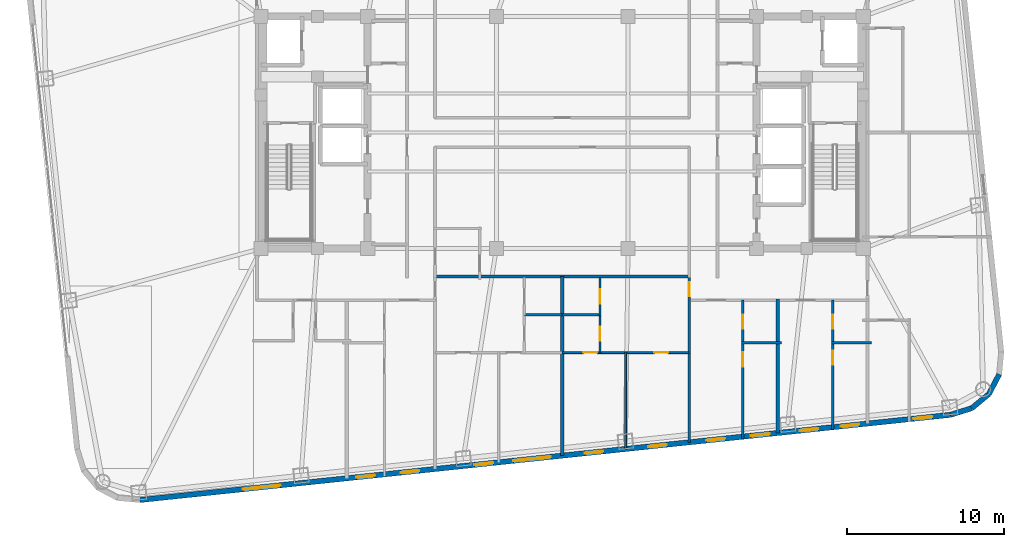
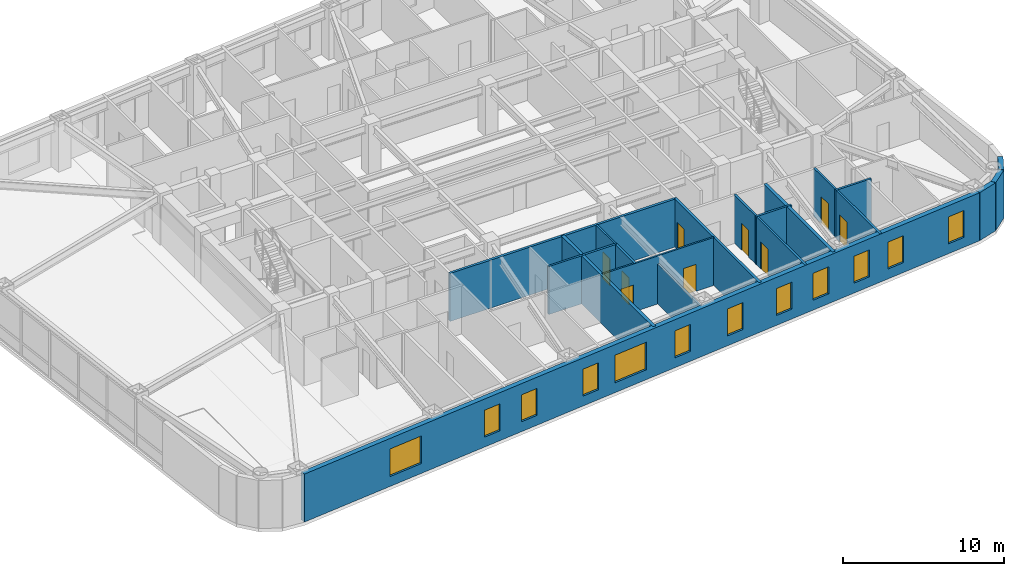
# One storey, part 8 of 15: 20 walls, 12 windows, 9 doors, 21 openings.
"""IFC4 building model written with IfcOpenShell, lengths in metres."""

import ifcopenshell
import ifcopenshell.guid

model = None  # the IFC model being written
_history = None  # IfcOwnerHistory: only IFC2X3 demands one
_inside = {}  # id of a spatial element -> (the spatial element, [elements in it])
_under = {}  # id of a project, library or spatial element -> (it, [spatial elements below it])
_declared = {}  # id of a project -> (the project, [libraries it declares])
_typed = {}  # id of a type object -> (the type object, [elements of that type])
_made_of = {}  # id of a material, layer set ... -> (it, [elements and type objects made of it])


def new_model(schema):
    """Start an empty IFC model of exactly this schema.

    Asked for "IFC4X3", IfcOpenShell would pick the latest addendum, in which some entities
    have other attributes; the version numbers below select the first issue.
    IFC2X3 requires an IfcOwnerHistory on every rooted entity: one is made here for all.
    """
    global model, _history
    if schema == "IFC4X3":
        model = ifcopenshell.file(schema_version=(4, 3, 0, 0))
    else:
        model = ifcopenshell.file(schema=schema)
    _inside.clear()
    _under.clear()
    _declared.clear()
    _typed.clear()
    _made_of.clear()
    _history = None
    if model.schema == "IFC2X3":
        org = make("IfcOrganization", Name="unknown")
        user = make(
            "IfcPersonAndOrganization",
            ThePerson=make("IfcPerson", FamilyName="unknown"),
            TheOrganization=org,
        )
        app = make(
            "IfcApplication",
            ApplicationDeveloper=org,
            Version="unknown",
            ApplicationFullName="unknown",
            ApplicationIdentifier="unknown",
        )
        _history = make(
            "IfcOwnerHistory",
            OwningUser=user,
            OwningApplication=app,
            ChangeAction="ADDED",
            CreationDate=0,
        )
    return model


def make(cls, **values):
    """One entity of the class cls with the attributes given. An attribute that is None is left unset."""
    return model.create_entity(
        cls, **{name: value for name, value in values.items() if value is not None}
    )


def rooted(cls, **values):
    """An entity with a GlobalId (a new one), such as an element, a storey or a relation."""
    return make(cls, GlobalId=ifcopenshell.guid.new(), OwnerHistory=_history, **values)


def si_unit(unit_type, name, prefix=None):
    """IfcSIUnit, for example si_unit("LENGTHUNIT", "METRE", prefix="MILLI")."""
    return make("IfcSIUnit", UnitType=unit_type, Prefix=prefix, Name=name)


def assignment(units):
    """IfcUnitAssignment: the units of a project."""
    return None if units is None else make("IfcUnitAssignment", Units=units)


def point(xyz):
    """IfcCartesianPoint."""
    return None if xyz is None else make("IfcCartesianPoint", Coordinates=xyz)


def direction(xyz):
    """IfcDirection."""
    return None if xyz is None else make("IfcDirection", DirectionRatios=xyz)


def frame(location, z_axis=None, x_axis=None):
    """IfcAxis2Placement3D, a coordinate frame: its origin and axes. An axis left out is left unset."""
    return make(
        "IfcAxis2Placement3D",
        Location=point(location),
        Axis=direction(z_axis),
        RefDirection=direction(x_axis),
    )


def frame_2d(location, x_axis=None):
    """IfcAxis2Placement2D, a coordinate frame in the plane: its origin and x axis."""
    return make(
        "IfcAxis2Placement2D", Location=point(location), RefDirection=direction(x_axis)
    )


def origin():
    """The frame at (0, 0, 0) with its axes left unset."""
    return frame((0.0, 0.0, 0.0))


def place(relative_to, where):
    """IfcLocalPlacement: puts the frame where relative to a parent placement (None: the world)."""
    return make(
        "IfcLocalPlacement", PlacementRelTo=relative_to, RelativePlacement=where
    )


def context(
    kind, dimensions, precision=None, world=None, true_north=None, identifier=None
):
    """IfcGeometricRepresentationContext, for example the 3D "Model" context."""
    return make(
        "IfcGeometricRepresentationContext",
        ContextIdentifier=identifier,
        ContextType=kind,
        CoordinateSpaceDimension=dimensions,
        Precision=precision,
        WorldCoordinateSystem=world,
        TrueNorth=true_north,
    )


def subcontext(parent, identifier, kind, view, scale=None):
    """IfcGeometricRepresentationSubContext, for example "Body" below "Model"."""
    return make(
        "IfcGeometricRepresentationSubContext",
        ContextIdentifier=identifier,
        ContextType=kind,
        ParentContext=parent,
        TargetScale=scale,
        TargetView=view,
    )


def project(units=None, contexts=None):
    """IfcProject with its units and contexts."""
    return rooted(
        "IfcProject",
        Name="project",
        RepresentationContexts=contexts,
        UnitsInContext=assignment(units),
    )


def spatial(cls, under=None, at=None, **own):
    """A site, building, storey or space (cls), placed at a placement, below another one or the project."""
    s = rooted(cls, ObjectPlacement=at, **own)
    if under is not None:
        _under.setdefault(under.id(), (under, []))[1].append(s)
    return s


def profile(cls, at=None, kind="AREA", **sizes):
    """A parametric profile (cls). Its sizes go by their IFC names, for example OverallWidth=200.0."""
    return make(cls, ProfileType=kind, Position=at, **sizes)


def rectangle(**sizes):
    """IfcRectangleProfileDef."""
    return profile("IfcRectangleProfileDef", **sizes)


def extrude(swept, where, along, depth):
    """IfcExtrudedAreaSolid: the profile swept, set in the frame where, extruded along a direction by depth."""
    return make(
        "IfcExtrudedAreaSolid",
        SweptArea=swept,
        Position=where,
        ExtrudedDirection=direction(along),
        Depth=depth,
    )


def shape(context_of_items, identifier, shape_type, items):
    """IfcShapeRepresentation: the items that make up one representation, for example the "Body"."""
    return make(
        "IfcShapeRepresentation",
        ContextOfItems=context_of_items,
        RepresentationIdentifier=identifier,
        RepresentationType=shape_type,
        Items=items,
    )


def material(Name=None, Category=None):
    """IfcMaterial."""
    return make("IfcMaterial", Name=Name, Category=Category)


def layer(
    of_material, thickness, ventilated=None, Name=None, Category=None, Priority=None
):
    """IfcMaterialLayer: one layer of a wall or slab, of a material (None: an air gap)."""
    return make(
        "IfcMaterialLayer",
        Material=of_material,
        LayerThickness=thickness,
        IsVentilated=ventilated,
        Name=Name,
        Category=Category,
        Priority=Priority,
    )


def layer_set(layers, Name=None):
    """IfcMaterialLayerSet."""
    return make("IfcMaterialLayerSet", MaterialLayers=layers, LayerSetName=Name)


def made_of(thing, what):
    """Note that an element or type object is made of a material, layer set ...; save() writes the relation."""
    if what is not None:
        _made_of.setdefault(what.id(), (what, []))[1].append(thing)
    return thing


def type_object(cls, material=None, **own):
    """A type object (cls), such as IfcWallType, which elements share."""
    return made_of(rooted(cls, **own), material)


def element(
    cls,
    number,
    at=None,
    inside=None,
    cuts=None,
    type_object=None,
    material=None,
    context=None,
    identifier="Body",
    shape_type=None,
    held_by="IfcProductDefinitionShape",
    body=None,
    shapes=None,
    **own,
):
    """One element of the class cls, such as IfcWall. Its Tag is "e" and its number.

    at: its placement. inside: the storey or other place that contains it. cuts: it is an
    opening in that element (IfcRelVoidsElement). A single representation is given by context,
    identifier, shape_type and body (its items); several are given by shapes. held_by: the class
    of the entity that holds the representations. save() writes the other relations.
    """
    e = rooted(cls, Tag="e%d" % number, ObjectPlacement=at, **own)
    if body is not None:
        shapes = [shape(context, identifier, shape_type, body)]
    if shapes is not None:
        e.Representation = make(held_by, Representations=shapes)
    if inside is not None:
        _inside.setdefault(inside.id(), (inside, []))[1].append(e)
    if cuts is not None:
        rooted(
            "IfcRelVoidsElement", RelatingBuildingElement=cuts, RelatedOpeningElement=e
        )
    if type_object is not None:
        _typed.setdefault(type_object.id(), (type_object, []))[1].append(e)
    return made_of(e, material)


def fill(opening, filler):
    """IfcRelFillsElement: the door or window that sits in an opening."""
    return rooted(
        "IfcRelFillsElement",
        RelatingOpeningElement=opening,
        RelatedBuildingElement=filler,
    )


def aggregate(whole, parts):
    """IfcRelAggregates: a whole, such as a stair, and the parts it consists of."""
    return rooted("IfcRelAggregates", RelatingObject=whole, RelatedObjects=parts)


def save(model, path):
    """Write the relations noted so far, then the file.

    IfcRelAggregates (storeys below a building ...), IfcRelContainedInSpatialStructure (elements
    in a storey), IfcRelDefinesByType, IfcRelAssociatesMaterial and IfcRelDeclares: one each for
    every whole, place, type object, material and project.
    """
    for whole, parts in _under.values():
        aggregate(whole, parts)
    for where, things in _inside.values():
        rooted(
            "IfcRelContainedInSpatialStructure",
            RelatedElements=things,
            RelatingStructure=where,
        )
    for kind, things in _typed.values():
        rooted("IfcRelDefinesByType", RelatedObjects=things, RelatingType=kind)
    for what, things in _made_of.values():
        rooted("IfcRelAssociatesMaterial", RelatedObjects=things, RelatingMaterial=what)
    for by, libraries in _declared.values():
        rooted("IfcRelDeclares", RelatingContext=by, RelatedDefinitions=libraries)
    model.write(path)


model = new_model("IFC4")

# Units and contexts
model_context = context("Model", 3, precision=1e-05, world=origin(), true_north=direction((0.0, 1.0)))
body_context = subcontext(model_context, "Body", "Model", "MODEL_VIEW")
ifc_project = project(units=[si_unit("LENGTHUNIT", "METRE"), si_unit("AREAUNIT", "SQUARE_METRE"), si_unit("VOLUMEUNIT", "CUBIC_METRE"), si_unit("PLANEANGLEUNIT", "RADIAN"), si_unit("MASSUNIT", "GRAM", prefix="KILO")], contexts=[model_context])

# Site, building, storey
site_placement = place(None, origin())
site = spatial("IfcSite", under=ifc_project, at=site_placement, CompositionType="ELEMENT")
building_placement = place(site_placement, origin())
building = spatial("IfcBuilding", under=site, at=building_placement, Name="Voryun Gate Residences", CompositionType="ELEMENT")
storey_placement = place(building_placement, frame((0.0, 0.0, 148.199951171875)))
storey = spatial("IfcBuildingStorey", under=building, at=storey_placement, Name="L36", CompositionType="ELEMENT", Elevation=148.199951171875)

# Wall
ifc_material_1 = material(Name="Gypsum acoustic fireboard")
ifc_layer_1 = layer(ifc_material_1, 0.179931640625, Name="W_CORR_RATED_180")
ifc_layer_set_1 = layer_set([ifc_layer_1], Name="Gypsum acoustic fireboard")
wall_type_1 = type_object("IfcWallType", Name="W_CORR_RATED_180", PredefinedType="PARTITIONING", material=ifc_layer_set_1)
wall_1_placement = place(storey_placement, frame((-8.14990234375, -9.18994140625, 0.0), z_axis=(0.0, 0.0, 1.0), x_axis=(1.0, 0.0, 0.0)))
element("IfcWall", 1, at=wall_1_placement, inside=storey, type_object=wall_type_1, Name="Partition wall WP-L36-Z2S", PredefinedType="PARTITIONING", context=body_context, shape_type="SweptSolid", body=[
    extrude(rectangle(XDim=16.2998046875, YDim=0.179931640625, at=frame_2d((8.14990234375, 0.0))), origin(), (0.0, 0.0, 1.0), 3.650146484375),
])

# Wall, opening, door
wall_2_placement = place(storey_placement, frame((8.10009765625, -19.75390625, 0.0), z_axis=(0.0, 0.0, 1.0), x_axis=(0.0, 1.0, 0.0)))
wall_2 = element("IfcWall", 2, at=wall_2_placement, inside=storey, type_object=wall_type_1, Name="Partition wall WP-L36-SZV-2", PredefinedType="PARTITIONING", context=body_context, shape_type="SweptSolid", body=[
    extrude(rectangle(XDim=10.56396484375, YDim=0.179931640625, at=frame_2d((5.281982421875, 0.0))), origin(), (0.0, 0.0, 1.0), 3.650146484375),
])
opening_1_placement = place(wall_2_placement, frame((9.314208984375, 0.0, 0.0)))
opening_1 = element("IfcOpeningElement", 3, at=opening_1_placement, cuts=wall_2, Name="Opening D-INT-2", PredefinedType="OPENING", context=body_context, shape_type="SweptSolid", body=[
    extrude(rectangle(XDim=0.89990234375, YDim=2.050048828125, at=frame_2d((0.449951171875, 1.02490234375))), frame((0.0, 0.099853515625, 0.0), z_axis=(0.0, -1.0, 0.0), x_axis=(1.0, 0.0, 0.0)), (0.0, 0.0, 1.0), 0.199951171875),
])
ifc_material_2 = material(Name="Architectural oak veneer")
door_type = type_object("IfcDoorType", Name="DR_INT_BATH_900", OperationType="NOTDEFINED", PredefinedType="DOOR", material=ifc_material_2)
door_1_placement = place(opening_1_placement, origin())
door_1 = element("IfcDoor", 4, at=door_1_placement, inside=storey, type_object=door_type, Name="Door DR-L36-SZENT-2", OperationType="SINGLE_SWING_RIGHT", OverallHeight=2.050048828125, OverallWidth=0.89990234375, PredefinedType="DOOR", context=body_context, shape_type="SweptSolid", body=[
    extrude(rectangle(XDim=0.89990234375, YDim=2.050048828125, at=frame_2d((0.449951171875, 1.02490234375))), frame((0.0, 0.02490234375, 0.0), z_axis=(0.0, -1.0, 0.0), x_axis=(1.0, 0.0, 0.0)), (0.0, 0.0, 1.0), 0.050048828125),
])
fill(opening_1, door_1)

# Wall, openings, windows
ifc_material_3 = material(Name="Charcoal terracotta masonry", Category="masonry")
ifc_layer_2 = layer(ifc_material_3, 0.340087890625, Name="W_EXT_TERRACOTTA_340")
ifc_layer_set_2 = layer_set([ifc_layer_2], Name="Charcoal terracotta masonry")
wall_type_2 = type_object("IfcWallType", Name="W_EXT_TERRACOTTA_340", PredefinedType="ELEMENTEDWALL", material=ifc_layer_set_2)
wall_3_placement = place(storey_placement, frame((24.755615234375, -18.003173828125, 0.0), z_axis=(0.0, 0.0, 1.0), x_axis=(-0.99452160744, -0.104531202687, 0.0)))
wall_3 = element("IfcWall", 5, at=wall_3_placement, inside=storey, type_object=wall_type_2, Name="Exterior wall WEXT-L36-01", PredefinedType="ELEMENTEDWALL", context=body_context, shape_type="SweptSolid", body=[
    extrude(rectangle(XDim=51.966552734375, YDim=0.340087890625, at=frame_2d((25.9833984375, 0.0))), origin(), (0.0, 0.0, 1.0), 3.650146484375),
])
opening_2_placement = place(wall_3_placement, frame((25.63330078125, 0.0, 0.75)))
opening_2 = element("IfcOpeningElement", 6, at=opening_2_placement, cuts=wall_3, Name="Opening WN2", PredefinedType="OPENING", context=body_context, shape_type="SweptSolid", body=[
    extrude(rectangle(XDim=2.39990234375, YDim=2.10009765625, at=frame_2d((1.199951171875, 1.050048828125))), frame((0.0, 0.179931640625, 0.0), z_axis=(0.0, -1.0, 0.0), x_axis=(1.0, 0.0, 0.0)), (0.0, 0.0, 1.0), 0.360107421875),
])
opening_3_placement = place(wall_3_placement, frame((42.955322265625, 0.0, 0.75)))
opening_3 = element("IfcOpeningElement", 7, at=opening_3_placement, cuts=wall_3, Name="Opening WN2", PredefinedType="OPENING", context=body_context, shape_type="SweptSolid", body=[
    extrude(rectangle(XDim=2.39990234375, YDim=2.10009765625, at=frame_2d((1.199951171875, 1.050048828125))), frame((0.0, 0.179931640625, 0.0), z_axis=(0.0, -1.0, 0.0), x_axis=(1.0, 0.0, 0.0)), (0.0, 0.0, 1.0), 0.360107421875),
])
opening_4_placement = place(wall_3_placement, frame((34.048583984375, 0.0, 0.75)))
opening_4 = element("IfcOpeningElement", 8, at=opening_4_placement, cuts=wall_3, Name="Opening WN6", PredefinedType="OPENING", context=body_context, shape_type="SweptSolid", body=[
    extrude(rectangle(XDim=1.199951171875, YDim=2.050048828125, at=frame_2d((0.60009765625, 1.02490234375))), frame((0.0, 0.179931640625, 0.0), z_axis=(0.0, -1.0, 0.0), x_axis=(1.0, 0.0, 0.0)), (0.0, 0.0, 1.0), 0.360107421875),
])
opening_5_placement = place(wall_3_placement, frame((36.89404296875, 0.0, 0.75)))
opening_5 = element("IfcOpeningElement", 9, at=opening_5_placement, cuts=wall_3, Name="Opening WN6", PredefinedType="OPENING", context=body_context, shape_type="SweptSolid", body=[
    extrude(rectangle(XDim=1.199951171875, YDim=2.050048828125, at=frame_2d((0.60009765625, 1.02490234375))), frame((0.0, 0.179931640625, 0.0), z_axis=(0.0, -1.0, 0.0), x_axis=(1.0, 0.0, 0.0)), (0.0, 0.0, 1.0), 0.360107421875),
])
opening_6_placement = place(wall_3_placement, frame((14.43603515625, 0.0, 0.75)))
opening_6 = element("IfcOpeningElement", 10, at=opening_6_placement, cuts=wall_3, Name="Opening WN6", PredefinedType="OPENING", context=body_context, shape_type="SweptSolid", body=[
    extrude(rectangle(XDim=1.199951171875, YDim=2.050048828125, at=frame_2d((0.60009765625, 1.02490234375))), frame((0.0, 0.179931640625, 0.0), z_axis=(0.0, -1.0, 0.0), x_axis=(1.0, 0.0, 0.0)), (0.0, 0.0, 1.0), 0.360107421875),
])
opening_7_placement = place(wall_3_placement, frame((11.590576171875, 0.0, 0.75)))
opening_7 = element("IfcOpeningElement", 11, at=opening_7_placement, cuts=wall_3, Name="Opening WN6", PredefinedType="OPENING", context=body_context, shape_type="SweptSolid", body=[
    extrude(rectangle(XDim=1.199951171875, YDim=2.050048828125, at=frame_2d((0.60009765625, 1.02490234375))), frame((0.0, 0.179931640625, 0.0), z_axis=(0.0, -1.0, 0.0), x_axis=(1.0, 0.0, 0.0)), (0.0, 0.0, 1.0), 0.360107421875),
])
opening_8_placement = place(wall_3_placement, frame((8.46923828125, 0.0, 0.75)))
opening_8 = element("IfcOpeningElement", 12, at=opening_8_placement, cuts=wall_3, Name="Opening WN6", PredefinedType="OPENING", context=body_context, shape_type="SweptSolid", body=[
    extrude(rectangle(XDim=1.199951171875, YDim=2.050048828125, at=frame_2d((0.60009765625, 1.02490234375))), frame((0.0, 0.179931640625, 0.0), z_axis=(0.0, -1.0, 0.0), x_axis=(1.0, 0.0, 0.0)), (0.0, 0.0, 1.0), 0.360107421875),
])
opening_9_placement = place(wall_3_placement, frame((5.83349609375, 0.0, 0.75)))
opening_9 = element("IfcOpeningElement", 13, at=opening_9_placement, cuts=wall_3, Name="Opening WN6", PredefinedType="OPENING", context=body_context, shape_type="SweptSolid", body=[
    extrude(rectangle(XDim=1.199951171875, YDim=2.050048828125, at=frame_2d((0.60009765625, 1.02490234375))), frame((0.0, 0.179931640625, 0.0), z_axis=(0.0, -1.0, 0.0), x_axis=(1.0, 0.0, 0.0)), (0.0, 0.0, 1.0), 0.360107421875),
])
opening_10_placement = place(wall_3_placement, frame((29.31298828125, 0.0, 0.75)))
opening_10 = element("IfcOpeningElement", 14, at=opening_10_placement, cuts=wall_3, Name="Opening WN6", PredefinedType="OPENING", context=body_context, shape_type="SweptSolid", body=[
    extrude(rectangle(XDim=1.199951171875, YDim=2.050048828125, at=frame_2d((0.60009765625, 1.02490234375))), frame((0.0, 0.179931640625, 0.0), z_axis=(0.0, -1.0, 0.0), x_axis=(1.0, 0.0, 0.0)), (0.0, 0.0, 1.0), 0.360107421875),
])
opening_11_placement = place(wall_3_placement, frame((22.248291015625, 0.0, 0.75)))
opening_11 = element("IfcOpeningElement", 15, at=opening_11_placement, cuts=wall_3, Name="Opening WN6", PredefinedType="OPENING", context=body_context, shape_type="SweptSolid", body=[
    extrude(rectangle(XDim=1.199951171875, YDim=2.050048828125, at=frame_2d((0.60009765625, 1.02490234375))), frame((0.0, 0.179931640625, 0.0), z_axis=(0.0, -1.0, 0.0), x_axis=(1.0, 0.0, 0.0)), (0.0, 0.0, 1.0), 0.360107421875),
])
opening_12_placement = place(wall_3_placement, frame((18.18603515625, 0.0, 0.75)))
opening_12 = element("IfcOpeningElement", 16, at=opening_12_placement, cuts=wall_3, Name="Opening WN6", PredefinedType="OPENING", context=body_context, shape_type="SweptSolid", body=[
    extrude(rectangle(XDim=1.199951171875, YDim=2.050048828125, at=frame_2d((0.60009765625, 1.02490234375))), frame((0.0, 0.179931640625, 0.0), z_axis=(0.0, -1.0, 0.0), x_axis=(1.0, 0.0, 0.0)), (0.0, 0.0, 1.0), 0.360107421875),
])
opening_13_placement = place(wall_3_placement, frame((1.170166015625, 0.0, 0.75)))
opening_13 = element("IfcOpeningElement", 17, at=opening_13_placement, cuts=wall_3, Name="Opening WN6", PredefinedType="OPENING", context=body_context, shape_type="SweptSolid", body=[
    extrude(rectangle(XDim=1.199951171875, YDim=2.050048828125, at=frame_2d((0.60009765625, 1.02490234375))), frame((0.0, 0.179931640625, 0.0), z_axis=(0.0, -1.0, 0.0), x_axis=(1.0, 0.0, 0.0)), (0.0, 0.0, 1.0), 0.360107421875),
])
ifc_material_4 = material(Name="Laminated low-E glass", Category="glass")
window_type_1 = type_object("IfcWindowType", Name="WN_POD_SLOT_1200", PartitioningType="SINGLE_PANEL", PredefinedType="WINDOW", material=ifc_material_4)
window_1_placement = place(opening_4_placement, origin())
window_1 = element("IfcWindow", 18, at=window_1_placement, inside=storey, type_object=window_type_1, Name="Window WN-L36-DWFIX-10", OverallHeight=2.050048828125, OverallWidth=1.199951171875, PartitioningType="SINGLE_PANEL", PredefinedType="WINDOW", context=body_context, shape_type="SweptSolid", body=[
    extrude(rectangle(XDim=1.199951171875, YDim=2.050048828125, at=frame_2d((0.60009765625, 1.02490234375))), frame((0.0, 0.030029296875, 0.0), z_axis=(0.0, -1.0, 0.0), x_axis=(1.0, 0.0, 0.0)), (0.0, 0.0, 1.0), 0.06005859375),
])
fill(opening_4, window_1)
window_2_placement = place(opening_5_placement, origin())
window_2 = element("IfcWindow", 19, at=window_2_placement, inside=storey, type_object=window_type_1, Name="Window WN-L36-DWFIX-11", OverallHeight=2.050048828125, OverallWidth=1.199951171875, PartitioningType="SINGLE_PANEL", PredefinedType="WINDOW", context=body_context, shape_type="SweptSolid", body=[
    extrude(rectangle(XDim=1.199951171875, YDim=2.050048828125, at=frame_2d((0.60009765625, 1.02490234375))), frame((0.0, 0.030029296875, 0.0), z_axis=(0.0, -1.0, 0.0), x_axis=(1.0, 0.0, 0.0)), (0.0, 0.0, 1.0), 0.06005859375),
])
fill(opening_5, window_2)
window_3_placement = place(opening_6_placement, origin())
window_3 = element("IfcWindow", 20, at=window_3_placement, inside=storey, type_object=window_type_1, Name="Window WN-L36-DWFIX-12", OverallHeight=2.050048828125, OverallWidth=1.199951171875, PartitioningType="SINGLE_PANEL", PredefinedType="WINDOW", context=body_context, shape_type="SweptSolid", body=[
    extrude(rectangle(XDim=1.199951171875, YDim=2.050048828125, at=frame_2d((0.60009765625, 1.02490234375))), frame((0.0, 0.030029296875, 0.0), z_axis=(0.0, -1.0, 0.0), x_axis=(1.0, 0.0, 0.0)), (0.0, 0.0, 1.0), 0.06005859375),
])
fill(opening_6, window_3)
window_4_placement = place(opening_7_placement, origin())
window_4 = element("IfcWindow", 21, at=window_4_placement, inside=storey, type_object=window_type_1, Name="Window WN-L36-DWFIX-13", OverallHeight=2.050048828125, OverallWidth=1.199951171875, PartitioningType="SINGLE_PANEL", PredefinedType="WINDOW", context=body_context, shape_type="SweptSolid", body=[
    extrude(rectangle(XDim=1.199951171875, YDim=2.050048828125, at=frame_2d((0.60009765625, 1.02490234375))), frame((0.0, 0.030029296875, 0.0), z_axis=(0.0, -1.0, 0.0), x_axis=(1.0, 0.0, 0.0)), (0.0, 0.0, 1.0), 0.06005859375),
])
fill(opening_7, window_4)
window_5_placement = place(opening_8_placement, origin())
window_5 = element("IfcWindow", 22, at=window_5_placement, inside=storey, type_object=window_type_1, Name="Window WN-L36-DWFIX-14", OverallHeight=2.050048828125, OverallWidth=1.199951171875, PartitioningType="SINGLE_PANEL", PredefinedType="WINDOW", context=body_context, shape_type="SweptSolid", body=[
    extrude(rectangle(XDim=1.199951171875, YDim=2.050048828125, at=frame_2d((0.60009765625, 1.02490234375))), frame((0.0, 0.030029296875, 0.0), z_axis=(0.0, -1.0, 0.0), x_axis=(1.0, 0.0, 0.0)), (0.0, 0.0, 1.0), 0.06005859375),
])
fill(opening_8, window_5)
window_6_placement = place(opening_9_placement, origin())
window_6 = element("IfcWindow", 23, at=window_6_placement, inside=storey, type_object=window_type_1, Name="Window WN-L36-DWFIX-15", OverallHeight=2.050048828125, OverallWidth=1.199951171875, PartitioningType="SINGLE_PANEL", PredefinedType="WINDOW", context=body_context, shape_type="SweptSolid", body=[
    extrude(rectangle(XDim=1.199951171875, YDim=2.050048828125, at=frame_2d((0.60009765625, 1.02490234375))), frame((0.0, 0.030029296875, 0.0), z_axis=(0.0, -1.0, 0.0), x_axis=(1.0, 0.0, 0.0)), (0.0, 0.0, 1.0), 0.06005859375),
])
fill(opening_9, window_6)
window_7_placement = place(opening_10_placement, origin())
window_7 = element("IfcWindow", 24, at=window_7_placement, inside=storey, type_object=window_type_1, Name="Window WN-L36-DWFIX-16", OverallHeight=2.050048828125, OverallWidth=1.199951171875, PartitioningType="SINGLE_PANEL", PredefinedType="WINDOW", context=body_context, shape_type="SweptSolid", body=[
    extrude(rectangle(XDim=1.199951171875, YDim=2.050048828125, at=frame_2d((0.60009765625, 1.02490234375))), frame((0.0, 0.030029296875, 0.0), z_axis=(0.0, -1.0, 0.0), x_axis=(1.0, 0.0, 0.0)), (0.0, 0.0, 1.0), 0.06005859375),
])
fill(opening_10, window_7)
window_8_placement = place(opening_11_placement, origin())
window_8 = element("IfcWindow", 25, at=window_8_placement, inside=storey, type_object=window_type_1, Name="Window WN-L36-DWFIX-17", OverallHeight=2.050048828125, OverallWidth=1.199951171875, PartitioningType="SINGLE_PANEL", PredefinedType="WINDOW", context=body_context, shape_type="SweptSolid", body=[
    extrude(rectangle(XDim=1.199951171875, YDim=2.050048828125, at=frame_2d((0.60009765625, 1.02490234375))), frame((0.0, 0.030029296875, 0.0), z_axis=(0.0, -1.0, 0.0), x_axis=(1.0, 0.0, 0.0)), (0.0, 0.0, 1.0), 0.06005859375),
])
fill(opening_11, window_8)
window_9_placement = place(opening_12_placement, origin())
window_9 = element("IfcWindow", 26, at=window_9_placement, inside=storey, type_object=window_type_1, Name="Window WN-L36-DWFIX-18", OverallHeight=2.050048828125, OverallWidth=1.199951171875, PartitioningType="SINGLE_PANEL", PredefinedType="WINDOW", context=body_context, shape_type="SweptSolid", body=[
    extrude(rectangle(XDim=1.199951171875, YDim=2.050048828125, at=frame_2d((0.60009765625, 1.02490234375))), frame((0.0, 0.030029296875, 0.0), z_axis=(0.0, -1.0, 0.0), x_axis=(1.0, 0.0, 0.0)), (0.0, 0.0, 1.0), 0.06005859375),
])
fill(opening_12, window_9)
window_10_placement = place(opening_13_placement, origin())
window_10 = element("IfcWindow", 27, at=window_10_placement, inside=storey, type_object=window_type_1, Name="Window WN-L36-DWFIX-19", OverallHeight=2.050048828125, OverallWidth=1.199951171875, PartitioningType="SINGLE_PANEL", PredefinedType="WINDOW", context=body_context, shape_type="SweptSolid", body=[
    extrude(rectangle(XDim=1.199951171875, YDim=2.050048828125, at=frame_2d((0.60009765625, 1.02490234375))), frame((0.0, 0.030029296875, 0.0), z_axis=(0.0, -1.0, 0.0), x_axis=(1.0, 0.0, 0.0)), (0.0, 0.0, 1.0), 0.06005859375),
])
fill(opening_13, window_10)
ifc_material_5 = material(Name="Laminated low-E glass", Category="glass")
window_type_2 = type_object("IfcWindowType", Name="WN_RES_WIDE_2400", PartitioningType="SINGLE_PANEL", PredefinedType="WINDOW", material=ifc_material_5)
window_11_placement = place(opening_2_placement, origin())
window_11 = element("IfcWindow", 28, at=window_11_placement, inside=storey, type_object=window_type_2, Name="Window WN-WEXT-L36-01-02", OverallHeight=2.10009765625, OverallWidth=2.39990234375, PartitioningType="SINGLE_PANEL", PredefinedType="WINDOW", context=body_context, shape_type="SweptSolid", body=[
    extrude(rectangle(XDim=2.39990234375, YDim=2.10009765625, at=frame_2d((1.199951171875, 1.050048828125))), frame((0.0, 0.030029296875, 0.0), z_axis=(0.0, -1.0, 0.0), x_axis=(1.0, 0.0, 0.0)), (0.0, 0.0, 1.0), 0.06005859375),
])
fill(opening_2, window_11)
window_12_placement = place(opening_3_placement, origin())
window_12 = element("IfcWindow", 29, at=window_12_placement, inside=storey, type_object=window_type_2, Name="Window WN-WEXT-L36-01-03", OverallHeight=2.10009765625, OverallWidth=2.39990234375, PartitioningType="SINGLE_PANEL", PredefinedType="WINDOW", context=body_context, shape_type="SweptSolid", body=[
    extrude(rectangle(XDim=2.39990234375, YDim=2.10009765625, at=frame_2d((1.199951171875, 1.050048828125))), frame((0.0, 0.030029296875, 0.0), z_axis=(0.0, -1.0, 0.0), x_axis=(1.0, 0.0, 0.0)), (0.0, 0.0, 1.0), 0.06005859375),
])
fill(opening_3, window_12)

# Walls
for number, where, z_axis, x_axis, name in (
    (30, (27.8701171875, -15.42138671875, 0.0), (0.0, 0.0, 1.0), (-0.465682431293, -0.884951904447, 0.0), "Exterior wall WEXT-L36-18"),
    (31, (27.211181640625, -16.673583984375, 0.0), (0.0, 0.0, 1.0), (-0.768758372808, -0.639539337522, 0.0), "Exterior wall WEXT-L36-19"),
):
    element("IfcWall", number, at=place(storey_placement, frame(where, z_axis=z_axis, x_axis=x_axis)), inside=storey, type_object=wall_type_2, Name=name, PredefinedType="ELEMENTEDWALL", context=body_context, shape_type="SweptSolid", body=[
        extrude(rectangle(XDim=1.4150390625, YDim=0.340087890625, at=frame_2d((0.70751953125, 0.0))), origin(), (0.0, 0.0, 1.0), 3.650146484375),
    ])
wall_4_placement = place(storey_placement, frame((26.123291015625, -17.57861328125, 0.0), z_axis=(0.0, 0.0, 1.0), x_axis=(-0.955042500381, -0.296468923271, 0.0)))
element("IfcWall", 32, at=wall_4_placement, inside=storey, type_object=wall_type_2, Name="Exterior wall WEXT-L36-20", PredefinedType="ELEMENTEDWALL", context=body_context, shape_type="SweptSolid", body=[
    extrude(rectangle(XDim=1.43212890625, YDim=0.340087890625, at=frame_2d((0.716064453125, 0.0))), origin(), (0.0, 0.0, 1.0), 3.650146484375),
])
ifc_material_6 = material(Name="Concrete C40/50", Category="concrete")
ifc_layer_3 = layer(ifc_material_6, 0.219970703125, Name="W_PARTY_ACOUSTIC_220")
ifc_layer_set_3 = layer_set([ifc_layer_3], Name="Concrete C40/50")
wall_type_3 = type_object("IfcWallType", Name="W_PARTY_ACOUSTIC_220", PredefinedType="PARTITIONING", material=ifc_layer_set_3)
wall_5_placement = place(storey_placement, frame((13.739990234375, -19.160888671875, 0.0), z_axis=(0.0, 0.0, 1.0), x_axis=(0.0, 1.0, 0.0)))
element("IfcWall", 33, at=wall_5_placement, inside=storey, type_object=wall_type_3, Name="Partition wall WP-L36-SPTY-4", PredefinedType="PARTITIONING", context=body_context, shape_type="SweptSolid", body=[
    extrude(rectangle(XDim=8.540771484375, YDim=0.219970703125, at=frame_2d((4.2705078125, 0.0))), origin(), (0.0, 0.0, 1.0), 3.650146484375),
])
wall_6_placement = place(storey_placement, frame((0.0, -20.60498046875, 0.0), z_axis=(0.0, 0.0, 1.0), x_axis=(0.0, 1.0, 0.0)))
element("IfcWall", 34, at=wall_6_placement, inside=storey, type_object=wall_type_3, Name="Partition wall WP-L36-SZMID", PredefinedType="PARTITIONING", context=body_context, shape_type="SweptSolid", body=[
    extrude(rectangle(XDim=11.4150390625, YDim=0.219970703125, at=frame_2d((5.70751953125, 0.0))), origin(), (0.0, 0.0, 1.0), 3.650146484375),
])

# Wall, openings, doors
ifc_material_7 = material(Name="Gypsum acoustic partition")
ifc_layer_4 = layer(ifc_material_7, 0.125, Name="W_UNIT_PART_125")
ifc_layer_set_4 = layer_set([ifc_layer_4], Name="Gypsum acoustic partition")
wall_type_4 = type_object("IfcWallType", Name="W_UNIT_PART_125", PredefinedType="PARTITIONING", material=ifc_layer_set_4)
wall_7_placement = place(storey_placement, frame((0.02001953125, -14.030029296875, 0.0), z_axis=(0.0, 0.0, 1.0), x_axis=(1.0, 0.0, 0.0)))
wall_7 = element("IfcWall", 35, at=wall_7_placement, inside=storey, type_object=wall_type_4, Name="Partition wall WP-L36-SC2-HZ", PredefinedType="PARTITIONING", context=body_context, shape_type="SweptSolid", body=[
    extrude(rectangle(XDim=8.06005859375, YDim=0.125, at=frame_2d((4.030029296875, 0.0))), origin(), (0.0, 0.0, 1.0), 3.650146484375),
])
opening_14_placement = place(wall_7_placement, frame((1.3232421875, 0.0, 0.0)))
opening_14 = element("IfcOpeningElement", 36, at=opening_14_placement, cuts=wall_7, Name="Opening D-INT-2", PredefinedType="OPENING", context=body_context, shape_type="SweptSolid", body=[
    extrude(rectangle(XDim=0.89990234375, YDim=2.050048828125, at=frame_2d((0.449951171875, 1.02490234375))), frame((0.0, 0.072509765625, 0.0), z_axis=(0.0, -1.0, 0.0), x_axis=(1.0, 0.0, 0.0)), (0.0, 0.0, 1.0), 0.14501953125),
])
opening_15_placement = place(wall_7_placement, frame((5.8369140625, 0.0, 0.0)))
opening_15 = element("IfcOpeningElement", 37, at=opening_15_placement, cuts=wall_7, Name="Opening D-INT-2", PredefinedType="OPENING", context=body_context, shape_type="SweptSolid", body=[
    extrude(rectangle(XDim=0.89990234375, YDim=2.050048828125, at=frame_2d((0.449951171875, 1.02490234375))), frame((0.0, 0.072509765625, 0.0), z_axis=(0.0, -1.0, 0.0), x_axis=(1.0, 0.0, 0.0)), (0.0, 0.0, 1.0), 0.14501953125),
])
door_2_placement = place(opening_14_placement, origin())
door_2 = element("IfcDoor", 38, at=door_2_placement, inside=storey, type_object=door_type, Name="Door DR-L36-SC2-DMB", OperationType="SINGLE_SWING_LEFT", OverallHeight=2.050048828125, OverallWidth=0.89990234375, PredefinedType="DOOR", context=body_context, shape_type="SweptSolid", body=[
    extrude(rectangle(XDim=0.89990234375, YDim=2.050048828125, at=frame_2d((0.449951171875, 1.02490234375))), frame((0.0, 0.02490234375, 0.0), z_axis=(0.0, -1.0, 0.0), x_axis=(1.0, 0.0, 0.0)), (0.0, 0.0, 1.0), 0.050048828125),
])
fill(opening_14, door_2)
door_3_placement = place(opening_15_placement, origin())
door_3 = element("IfcDoor", 39, at=door_3_placement, inside=storey, type_object=door_type, Name="Door DR-L36-SC2-DBD2", OperationType="SINGLE_SWING_RIGHT", OverallHeight=2.050048828125, OverallWidth=0.89990234375, PredefinedType="DOOR", context=body_context, shape_type="SweptSolid", body=[
    extrude(rectangle(XDim=0.89990234375, YDim=2.050048828125, at=frame_2d((0.449951171875, 1.02490234375))), frame((0.0, 0.02490234375, 0.0), z_axis=(0.0, -1.0, 0.0), x_axis=(1.0, 0.0, 0.0)), (0.0, 0.0, 1.0), 0.050048828125),
])
fill(opening_15, door_3)

# Wall, opening, door
wall_8_placement = place(storey_placement, frame((2.409912109375, -11.659912109375, 0.0), z_axis=(0.0, 0.0, 1.0), x_axis=(0.0, 1.0, 0.0)))
wall_8 = element("IfcWall", 40, at=wall_8_placement, inside=storey, type_object=wall_type_4, Name="Partition wall WP-L36-SC2-VK1", PredefinedType="PARTITIONING", context=body_context, shape_type="SweptSolid", body=[
    extrude(rectangle(XDim=2.409912109375, YDim=0.125, at=frame_2d((1.205078125, 0.0))), origin(), (0.0, 0.0, 1.0), 3.650146484375),
])
opening_16_placement = place(wall_8_placement, frame((0.7548828125, 0.0, 0.0)))
opening_16 = element("IfcOpeningElement", 41, at=opening_16_placement, cuts=wall_8, Name="Opening D-INT-2", PredefinedType="OPENING", context=body_context, shape_type="SweptSolid", body=[
    extrude(rectangle(XDim=0.89990234375, YDim=2.050048828125, at=frame_2d((0.449951171875, 1.02490234375))), frame((0.0, 0.072509765625, 0.0), z_axis=(0.0, -1.0, 0.0), x_axis=(1.0, 0.0, 0.0)), (0.0, 0.0, 1.0), 0.14501953125),
])
door_4_placement = place(opening_16_placement, origin())
door_4 = element("IfcDoor", 42, at=door_4_placement, inside=storey, type_object=door_type, Name="Door DR-L36-SC2-DK", OperationType="SINGLE_SWING_LEFT", OverallHeight=2.050048828125, OverallWidth=0.89990234375, PredefinedType="DOOR", context=body_context, shape_type="SweptSolid", body=[
    extrude(rectangle(XDim=0.89990234375, YDim=2.050048828125, at=frame_2d((0.449951171875, 1.02490234375))), frame((0.0, 0.02490234375, 0.0), z_axis=(0.0, -1.0, 0.0), x_axis=(1.0, 0.0, 0.0)), (0.0, 0.0, 1.0), 0.050048828125),
])
fill(opening_16, door_4)

# Walls
wall_9_placement = place(storey_placement, frame((4.050048828125, -20.179443359375, 0.0), z_axis=(0.0, 0.0, 1.0), x_axis=(0.0, 1.0, 0.0)))
element("IfcWall", 43, at=wall_9_placement, inside=storey, type_object=wall_type_4, Name="Partition wall WP-L36-SC2-VBD", PredefinedType="PARTITIONING", context=body_context, shape_type="SweptSolid", body=[
    extrude(rectangle(XDim=6.189453125, YDim=0.125, at=frame_2d((3.0947265625, 0.0))), origin(), (0.0, 0.0, 1.0), 3.0400390625),
])
ifc_material_8 = material(Name="Gypsum moisture-resistant partition")
ifc_layer_5 = layer(ifc_material_8, 0.14990234375, Name="W_WET_PLUMB_150")
ifc_layer_set_5 = layer_set([ifc_layer_5], Name="Gypsum moisture-resistant partition")
wall_type_5 = type_object("IfcWallType", Name="W_WET_PLUMB_150", PredefinedType="PLUMBINGWALL", material=ifc_layer_set_5)
wall_10_placement = place(storey_placement, frame((11.43896484375, -13.39990234375, 0.0), z_axis=(0.0, 0.0, 1.0), x_axis=(1.0, 0.0, 0.0)))
element("IfcWall", 44, at=wall_10_placement, inside=storey, type_object=wall_type_5, Name="Partition wall WP-L36-S4-SKB", PredefinedType="PLUMBINGWALL", context=body_context, shape_type="SweptSolid", body=[
    extrude(rectangle(XDim=2.56103515625, YDim=0.14990234375, at=frame_2d((1.280517578125, 0.0))), origin(), (0.0, 0.0, 1.0), 3.650146484375),
])

# Wall, opening, door
wall_11_placement = place(storey_placement, frame((11.51904296875, -19.545166015625, 0.0), z_axis=(0.0, 0.0, 1.0), x_axis=(0.0, 1.0, 0.0)))
wall_11 = element("IfcWall", 45, at=wall_11_placement, inside=storey, type_object=wall_type_5, Name="Partition wall WP-L36-S4-SVT1", PredefinedType="PLUMBINGWALL", context=body_context, shape_type="SweptSolid", body=[
    extrude(rectangle(XDim=6.18505859375, YDim=0.14990234375, at=frame_2d((3.092529296875, 0.0))), origin(), (0.0, 0.0, 1.0), 3.650146484375),
])
opening_17_placement = place(wall_11_placement, frame((4.621826171875, 0.0, 0.0)))
opening_17 = element("IfcOpeningElement", 46, at=opening_17_placement, cuts=wall_11, Name="Opening D-INT-2", PredefinedType="OPENING", context=body_context, shape_type="SweptSolid", body=[
    extrude(rectangle(XDim=0.89990234375, YDim=2.050048828125, at=frame_2d((0.449951171875, 1.02490234375))), frame((0.0, 0.0849609375, 0.0), z_axis=(0.0, -1.0, 0.0), x_axis=(1.0, 0.0, 0.0)), (0.0, 0.0, 1.0), 0.169921875),
])
door_5_placement = place(opening_17_placement, origin())
door_5 = element("IfcDoor", 47, at=door_5_placement, inside=storey, type_object=door_type, Name="Door DR-L36-S4-DK", OperationType="SINGLE_SWING_LEFT", OverallHeight=2.050048828125, OverallWidth=0.89990234375, PredefinedType="DOOR", context=body_context, shape_type="SweptSolid", body=[
    extrude(rectangle(XDim=0.89990234375, YDim=2.050048828125, at=frame_2d((0.449951171875, 1.02490234375))), frame((0.0, 0.02490234375, 0.0), z_axis=(0.0, -1.0, 0.0), x_axis=(1.0, 0.0, 0.0)), (0.0, 0.0, 1.0), 0.050048828125),
])
fill(opening_17, door_5)

wall_12_placement = place(storey_placement, frame((11.51904296875, -13.43994140625, 0.0), z_axis=(0.0, 0.0, 1.0), x_axis=(0.0, 1.0, 0.0)))
wall_12 = element("IfcWall", 48, at=wall_12_placement, inside=storey, type_object=wall_type_5, Name="Partition wall WP-L36-S4-SVT2", PredefinedType="PLUMBINGWALL", context=body_context, shape_type="SweptSolid", body=[
    extrude(rectangle(XDim=2.760009765625, YDim=0.14990234375, at=frame_2d((1.3798828125, 0.0))), origin(), (0.0, 0.0, 1.0), 3.650146484375),
])
opening_18_placement = place(wall_12_placement, frame((0.929931640625, 0.0, 0.0)))
opening_18 = element("IfcOpeningElement", 49, at=opening_18_placement, cuts=wall_12, Name="Opening D-INT-2", PredefinedType="OPENING", context=body_context, shape_type="SweptSolid", body=[
    extrude(rectangle(XDim=0.89990234375, YDim=2.050048828125, at=frame_2d((0.449951171875, 1.02490234375))), frame((0.0, 0.0849609375, 0.0), z_axis=(0.0, -1.0, 0.0), x_axis=(1.0, 0.0, 0.0)), (0.0, 0.0, 1.0), 0.169921875),
])
door_6_placement = place(opening_18_placement, origin())
door_6 = element("IfcDoor", 50, at=door_6_placement, inside=storey, type_object=door_type, Name="Door DR-L36-S4-DB", OperationType="SINGLE_SWING_RIGHT", OverallHeight=2.050048828125, OverallWidth=0.89990234375, PredefinedType="DOOR", context=body_context, shape_type="SweptSolid", body=[
    extrude(rectangle(XDim=0.89990234375, YDim=2.050048828125, at=frame_2d((0.449951171875, 1.02490234375))), frame((0.0, 0.02490234375, 0.0), z_axis=(0.0, -1.0, 0.0), x_axis=(1.0, 0.0, 0.0)), (0.0, 0.0, 1.0), 0.050048828125),
])
fill(opening_18, door_6)

# Wall
wall_13_placement = place(storey_placement, frame((17.169921875, -13.39990234375, 0.0), z_axis=(0.0, 0.0, 1.0), x_axis=(1.0, 0.0, 0.0)))
element("IfcWall", 51, at=wall_13_placement, inside=storey, type_object=wall_type_5, Name="Partition wall WP-L36-S5-SKB", PredefinedType="PLUMBINGWALL", context=body_context, shape_type="SweptSolid", body=[
    extrude(rectangle(XDim=2.550048828125, YDim=0.14990234375, at=frame_2d((1.27490234375, 0.0))), origin(), (0.0, 0.0, 1.0), 3.650146484375),
])

# Wall, opening, door
wall_14_placement = place(storey_placement, frame((17.25, -18.94287109375, 0.0), z_axis=(0.0, 0.0, 1.0), x_axis=(0.0, 1.0, 0.0)))
wall_14 = element("IfcWall", 52, at=wall_14_placement, inside=storey, type_object=wall_type_5, Name="Partition wall WP-L36-S5-SVT1", PredefinedType="PLUMBINGWALL", context=body_context, shape_type="SweptSolid", body=[
    extrude(rectangle(XDim=5.582763671875, YDim=0.14990234375, at=frame_2d((2.79150390625, 0.0))), origin(), (0.0, 0.0, 1.0), 3.650146484375),
])
opening_19_placement = place(wall_14_placement, frame((4.1279296875, 0.0, 0.0)))
opening_19 = element("IfcOpeningElement", 53, at=opening_19_placement, cuts=wall_14, Name="Opening D-INT-2", PredefinedType="OPENING", context=body_context, shape_type="SweptSolid", body=[
    extrude(rectangle(XDim=0.89990234375, YDim=2.050048828125, at=frame_2d((0.449951171875, 1.02490234375))), frame((0.0, 0.0849609375, 0.0), z_axis=(0.0, -1.0, 0.0), x_axis=(1.0, 0.0, 0.0)), (0.0, 0.0, 1.0), 0.169921875),
])
door_7_placement = place(opening_19_placement, origin())
door_7 = element("IfcDoor", 54, at=door_7_placement, inside=storey, type_object=door_type, Name="Door DR-L36-S5-DK", OperationType="SINGLE_SWING_LEFT", OverallHeight=2.050048828125, OverallWidth=0.89990234375, PredefinedType="DOOR", context=body_context, shape_type="SweptSolid", body=[
    extrude(rectangle(XDim=0.89990234375, YDim=2.050048828125, at=frame_2d((0.449951171875, 1.02490234375))), frame((0.0, 0.02490234375, 0.0), z_axis=(0.0, -1.0, 0.0), x_axis=(1.0, 0.0, 0.0)), (0.0, 0.0, 1.0), 0.050048828125),
])
fill(opening_19, door_7)

wall_15_placement = place(storey_placement, frame((17.25, -13.43994140625, 0.0), z_axis=(0.0, 0.0, 1.0), x_axis=(0.0, 1.0, 0.0)))
wall_15 = element("IfcWall", 55, at=wall_15_placement, inside=storey, type_object=wall_type_5, Name="Partition wall WP-L36-S5-SVT2", PredefinedType="PLUMBINGWALL", context=body_context, shape_type="SweptSolid", body=[
    extrude(rectangle(XDim=2.760009765625, YDim=0.14990234375, at=frame_2d((1.3798828125, 0.0))), origin(), (0.0, 0.0, 1.0), 3.650146484375),
])
opening_20_placement = place(wall_15_placement, frame((0.929931640625, 0.0, 0.0)))
opening_20 = element("IfcOpeningElement", 56, at=opening_20_placement, cuts=wall_15, Name="Opening D-INT-2", PredefinedType="OPENING", context=body_context, shape_type="SweptSolid", body=[
    extrude(rectangle(XDim=0.89990234375, YDim=2.050048828125, at=frame_2d((0.449951171875, 1.02490234375))), frame((0.0, 0.0849609375, 0.0), z_axis=(0.0, -1.0, 0.0), x_axis=(1.0, 0.0, 0.0)), (0.0, 0.0, 1.0), 0.169921875),
])
door_8_placement = place(opening_20_placement, origin())
door_8 = element("IfcDoor", 57, at=door_8_placement, inside=storey, type_object=door_type, Name="Door DR-L36-S5-DB", OperationType="SINGLE_SWING_RIGHT", OverallHeight=2.050048828125, OverallWidth=0.89990234375, PredefinedType="DOOR", context=body_context, shape_type="SweptSolid", body=[
    extrude(rectangle(XDim=0.89990234375, YDim=2.050048828125, at=frame_2d((0.449951171875, 1.02490234375))), frame((0.0, 0.02490234375, 0.0), z_axis=(0.0, -1.0, 0.0), x_axis=(1.0, 0.0, 0.0)), (0.0, 0.0, 1.0), 0.050048828125),
])
fill(opening_20, door_8)

# Wall
wall_16_placement = place(storey_placement, frame((-2.449951171875, -11.6298828125, 0.0), z_axis=(0.0, 0.0, 1.0), x_axis=(1.0, 0.0, 0.0)))
element("IfcWall", 58, at=wall_16_placement, inside=storey, type_object=wall_type_5, Name="Partition wall WP-L36-SC1-HKB", PredefinedType="PLUMBINGWALL", context=body_context, shape_type="SweptSolid", body=[
    extrude(rectangle(XDim=2.429931640625, YDim=0.14990234375, at=frame_2d((1.21484375, 0.0))), origin(), (0.0, 0.0, 1.0), 3.650146484375),
])

# Wall, opening, door
wall_17_placement = place(storey_placement, frame((2.409912109375, -14.070068359375, 0.0), z_axis=(0.0, 0.0, 1.0), x_axis=(0.0, 1.0, 0.0)))
wall_17 = element("IfcWall", 59, at=wall_17_placement, inside=storey, type_object=wall_type_5, Name="Partition wall WP-L36-SC2-VK2", PredefinedType="PLUMBINGWALL", context=body_context, shape_type="SweptSolid", body=[
    extrude(rectangle(XDim=2.469970703125, YDim=0.14990234375, at=frame_2d((1.23486328125, 0.0))), origin(), (0.0, 0.0, 1.0), 3.650146484375),
])
opening_21_placement = place(wall_17_placement, frame((0.784912109375, 0.0, 0.0)))
opening_21 = element("IfcOpeningElement", 60, at=opening_21_placement, cuts=wall_17, Name="Opening D-INT-2", PredefinedType="OPENING", context=body_context, shape_type="SweptSolid", body=[
    extrude(rectangle(XDim=0.89990234375, YDim=2.050048828125, at=frame_2d((0.449951171875, 1.02490234375))), frame((0.0, 0.0849609375, 0.0), z_axis=(0.0, -1.0, 0.0), x_axis=(1.0, 0.0, 0.0)), (0.0, 0.0, 1.0), 0.169921875),
])
door_9_placement = place(opening_21_placement, origin())
door_9 = element("IfcDoor", 61, at=door_9_placement, inside=storey, type_object=door_type, Name="Door DR-L36-SC2-DB", OperationType="SINGLE_SWING_RIGHT", OverallHeight=2.050048828125, OverallWidth=0.89990234375, PredefinedType="DOOR", context=body_context, shape_type="SweptSolid", body=[
    extrude(rectangle(XDim=0.89990234375, YDim=2.050048828125, at=frame_2d((0.449951171875, 1.02490234375))), frame((0.0, 0.02490234375, 0.0), z_axis=(0.0, -1.0, 0.0), x_axis=(1.0, 0.0, 0.0)), (0.0, 0.0, 1.0), 0.050048828125),
])
fill(opening_21, door_9)

# Wall
wall_18_placement = place(storey_placement, frame((0.02001953125, -11.6298828125, 0.0), z_axis=(0.0, 0.0, 1.0), x_axis=(1.0, 0.0, 0.0)))
element("IfcWall", 62, at=wall_18_placement, inside=storey, type_object=wall_type_5, Name="Partition wall WP-L36-SC2-HKB", PredefinedType="PLUMBINGWALL", context=body_context, shape_type="SweptSolid", body=[
    extrude(rectangle(XDim=2.429931640625, YDim=0.14990234375, at=frame_2d((1.21484375, 0.0))), origin(), (0.0, 0.0, 1.0), 3.650146484375),
])

save(model, "model.ifc")
